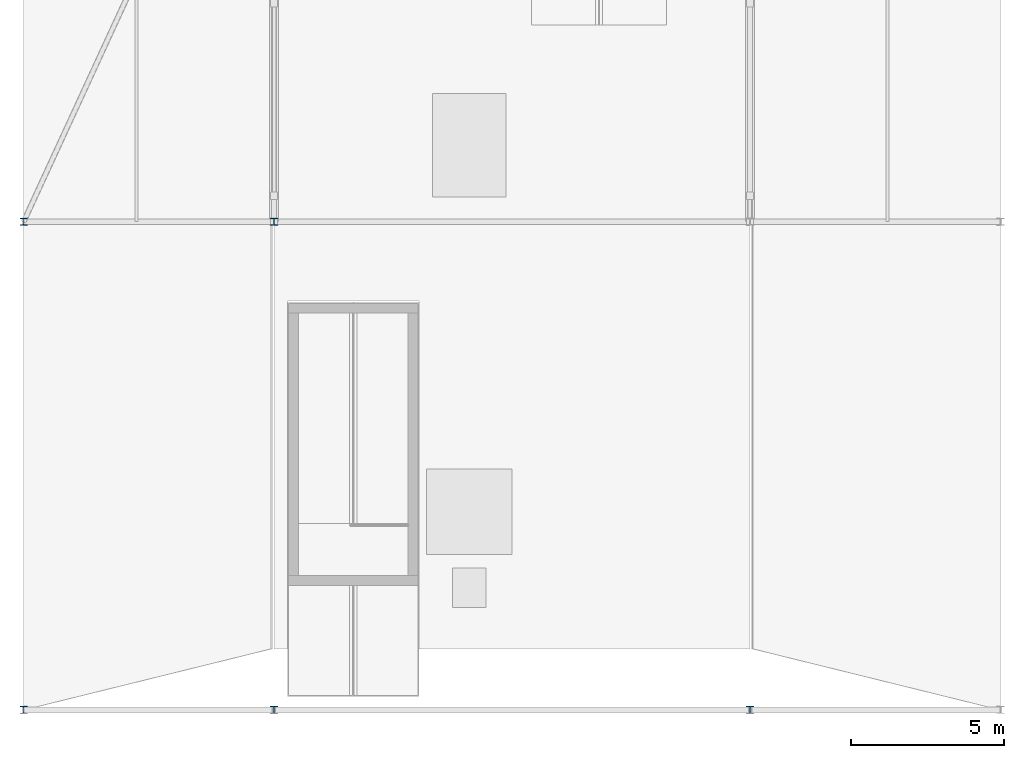
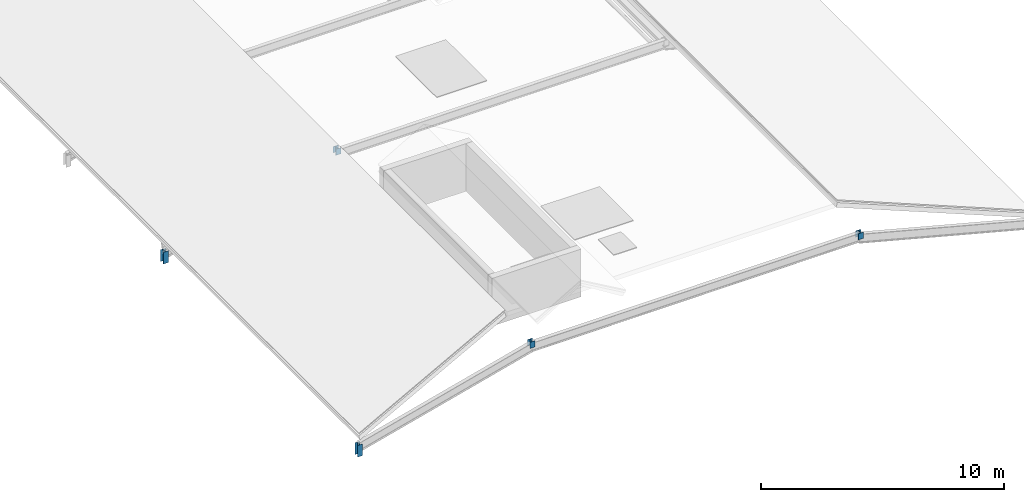
# One storey, part 2 of 8: 5 members.
"""IFC4 building model written with IfcOpenShell, lengths in metres."""

from ifc_helpers import new_model, si_unit, direction, frame, origin, origin_2d, place, context, subcontext, project, spatial, i_section, extrude, material, material_profile, profile_set, type_object, element, save


model = new_model("IFC4")

# Units and contexts
model_context = context("Model", 3, precision=1e-05, world=origin(), true_north=direction((0.0, 1.0)))
body_context = subcontext(model_context, "Body", "Model", "MODEL_VIEW")
ifc_project = project(units=[si_unit("LENGTHUNIT", "METRE"), si_unit("AREAUNIT", "SQUARE_METRE"), si_unit("VOLUMEUNIT", "CUBIC_METRE"), si_unit("PLANEANGLEUNIT", "RADIAN"), si_unit("MASSUNIT", "GRAM", prefix="KILO")], contexts=[model_context])

# Site, building, storey
site_placement = place(None, origin())
site = spatial("IfcSite", under=ifc_project, at=site_placement, CompositionType="ELEMENT")
building_placement = place(site_placement, origin())
building = spatial("IfcBuilding", under=site, at=building_placement, Name="Kenh Van Central Station", CompositionType="ELEMENT")
storey_placement = place(building_placement, frame((0.0, 0.0, 27.60009765625)))
storey = spatial("IfcBuildingStorey", under=building, at=storey_placement, Name="RF", CompositionType="ELEMENT", Elevation=27.60009765625)

# Members
ifc_material = material(Name="Steel S355", Category="steel")
ifc_material_profile = material_profile(ifc_material, i_section(OverallWidth=0.239990234375, OverallDepth=0.22998046875, WebThickness=0.007568359375, FlangeThickness=0.011962890625, FilletRadius=0.02099609375, at=origin_2d()), Name="HEA 240")
ifc_profile_set = profile_set([ifc_material_profile], Name="Steel S355")
member_type = type_object("IfcMemberType", Name="MEM-ROOF-POST240", PredefinedType="POST", material=ifc_profile_set)
member_1_placement = place(storey_placement, frame((144.0, 24.0, -0.9501953125), z_axis=(0.0, 0.0, 1.0), x_axis=(1.0, 0.0, 0.0)))
element("IfcMember", 1, at=member_1_placement, inside=storey, type_object=member_type, Name="RF roof eave post 204", PredefinedType="POST", context=body_context, shape_type="SweptSolid", body=[
    extrude(i_section(OverallWidth=0.239990234375, OverallDepth=0.22998046875, WebThickness=0.007568359375, FlangeThickness=0.011962890625, FilletRadius=0.02099609375, at=origin_2d()), origin(), (0.0, 0.0, 1.0), 0.58447265625),
])
for number, where, z_axis, x_axis, name in (
    (2, (152.199951171875, 24.0, 1.63427734375), (0.0, 0.0, 1.0), (1.0, 0.0, 0.0), "RF crown skylight post 204"),
    (3, (167.800048828125, 24.0, 1.63427734375), (0.0, 0.0, 1.0), (1.0, 0.0, 0.0), "RF crown skylight post 204"),
):
    element("IfcMember", number, at=place(storey_placement, frame(where, z_axis=z_axis, x_axis=x_axis)), inside=storey, type_object=member_type, Name=name, PredefinedType="POST", context=body_context, shape_type="SweptSolid", body=[
        extrude(i_section(OverallWidth=0.239990234375, OverallDepth=0.22998046875, WebThickness=0.007568359375, FlangeThickness=0.011962890625, FilletRadius=0.02099609375, at=origin_2d()), origin(), (0.0, 0.0, 1.0), 0.310546875),
    ])
member_2_placement = place(storey_placement, frame((144.0, 40.0, -0.9501953125), z_axis=(0.0, 0.0, 1.0), x_axis=(1.0, 0.0, 0.0)))
element("IfcMember", 4, at=member_2_placement, inside=storey, type_object=member_type, Name="RF roof eave post 207", PredefinedType="POST", context=body_context, shape_type="SweptSolid", body=[
    extrude(i_section(OverallWidth=0.239990234375, OverallDepth=0.22998046875, WebThickness=0.007568359375, FlangeThickness=0.011962890625, FilletRadius=0.02099609375, at=origin_2d()), origin(), (0.0, 0.0, 1.0), 0.58447265625),
])
member_3_placement = place(storey_placement, frame((152.199951171875, 40.0, 1.63427734375), z_axis=(0.0, 0.0, 1.0), x_axis=(1.0, 0.0, 0.0)))
element("IfcMember", 5, at=member_3_placement, inside=storey, type_object=member_type, Name="RF crown skylight post 207", PredefinedType="POST", context=body_context, shape_type="SweptSolid", body=[
    extrude(i_section(OverallWidth=0.239990234375, OverallDepth=0.22998046875, WebThickness=0.007568359375, FlangeThickness=0.011962890625, FilletRadius=0.02099609375, at=origin_2d()), origin(), (0.0, 0.0, 1.0), 0.310546875),
])

save(model, "model.ifc")
